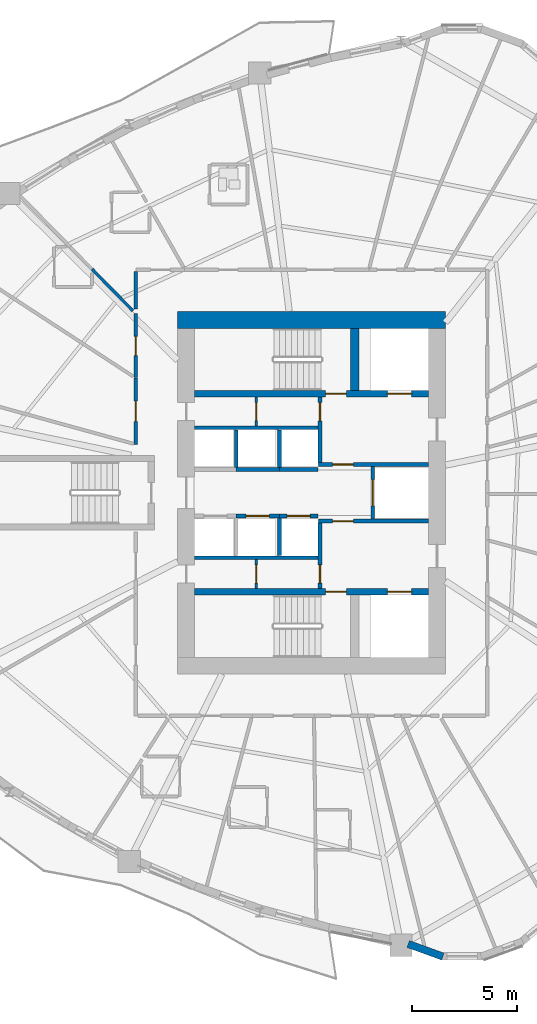
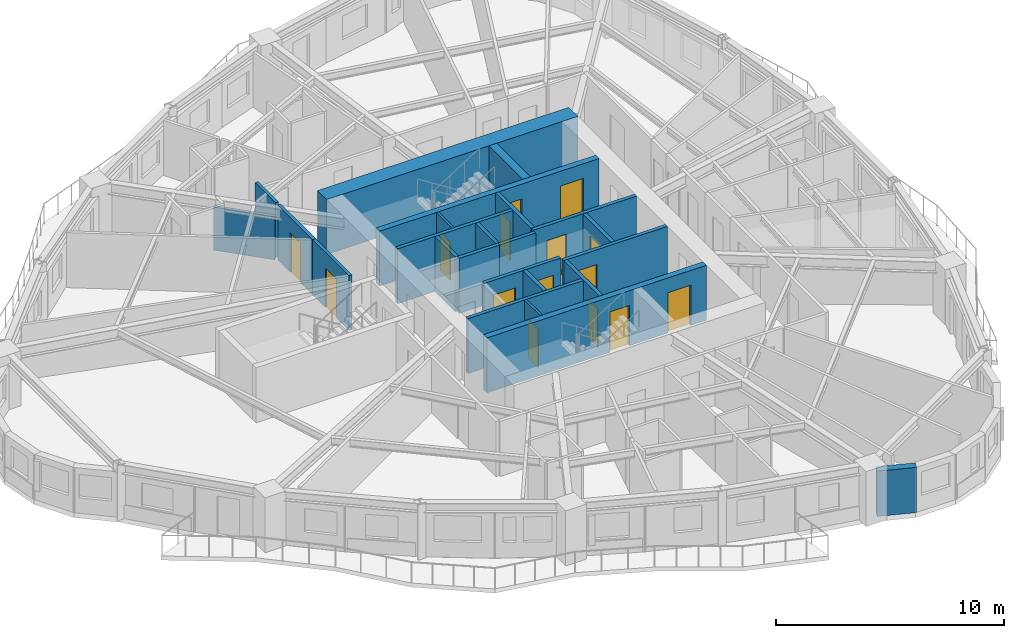
# One storey, part 5 of 13: 25 walls, 15 doors, 15 openings.
"""IFC4 building model written with IfcOpenShell, lengths in metres."""

from ifc_helpers import new_model, si_unit, direction, frame, frame_2d, origin, place, context, subcontext, project, spatial, rectangle, extrude, source, transform, mapped, material, layer, layer_set, type_object, element, fill, save


model = new_model("IFC4")

# Units and contexts
model_context = context("Model", 3, precision=1e-05, world=origin(), true_north=direction((0.0, 1.0)))
body_context = subcontext(model_context, "Body", "Model", "MODEL_VIEW")
ifc_project = project(units=[si_unit("LENGTHUNIT", "METRE"), si_unit("AREAUNIT", "SQUARE_METRE"), si_unit("VOLUMEUNIT", "CUBIC_METRE"), si_unit("PLANEANGLEUNIT", "RADIAN"), si_unit("MASSUNIT", "GRAM", prefix="KILO")], contexts=[model_context])

# Site, building, storey
site_placement = place(None, origin())
site = spatial("IfcSite", under=ifc_project, at=site_placement, CompositionType="ELEMENT")
building_placement = place(site_placement, origin())
building = spatial("IfcBuilding", under=site, at=building_placement, Name="Qafzar Sky-Pleat Residences", CompositionType="ELEMENT")
storey_placement = place(building_placement, frame((0.0, 0.0, 46.199951171875)))
storey = spatial("IfcBuildingStorey", under=building, at=storey_placement, Name="L13", CompositionType="ELEMENT", Elevation=46.199951171875)

# Wall, opening, door
ifc_material_1 = material(Name="Acoustic gypsum plasterboard partition", Category="gypsum")
ifc_layer_1 = layer(ifc_material_1, 0.159912109375)
ifc_layer_set_1 = layer_set([ifc_layer_1], Name="Acoustic gypsum plasterboard partition")
wall_type_1 = type_object("IfcWallType", Name="PART-COR-160", PredefinedType="PARTITIONING", material=ifc_layer_set_1)
wall_1_placement = place(storey_placement, frame((22.02001953125, 28.279052734375, 0.0), z_axis=(0.0, 0.0, 1.0), x_axis=(0.0, 1.0, 0.0)))
wall_1 = element("IfcWall", 1, at=wall_1_placement, inside=storey, type_object=wall_type_1, Name="L13 Partition Wall PART-L13-PW-007", PredefinedType="PARTITIONING", context=body_context, shape_type="SweptSolid", body=[
    extrude(rectangle(XDim=3.1728515625, YDim=0.159912109375, at=frame_2d((1.58642578125, 0.0))), origin(), (0.0, 0.0, 1.0), 2.93994140625),
])
opening_1_placement = place(wall_1_placement, frame((1.10498046875, 0.0, 0.0)))
opening_1 = element("IfcOpeningElement", 2, at=opening_1_placement, cuts=wall_1, Name="Opening ID-06", PredefinedType="OPENING", context=body_context, shape_type="SweptSolid", body=[
    extrude(rectangle(XDim=0.9599609375, YDim=2.10009765625, at=frame_2d((0.47998046875, 1.050048828125))), frame((0.0, 0.08984375, 0.0), z_axis=(0.0, -1.0, 0.0), x_axis=(1.0, 0.0, 0.0)), (0.0, 0.0, 1.0), 0.179931640625),
])
ifc_material_2 = material(Name="Timber-faced fire door", Category="wood")
door_type_1 = type_object("IfcDoorType", Name="DR-STD-960", OperationType="NOTDEFINED", PredefinedType="DOOR", material=ifc_material_2)
shared_shape_1 = source(origin(), body_context, "Body", "SweptSolid", [
    extrude(rectangle(XDim=0.9599609375, YDim=2.10009765625, at=frame_2d((0.47998046875, 1.050048828125))), frame((0.0, 0.02490234375, 0.0), z_axis=(0.0, -1.0, 0.0), x_axis=(1.0, 0.0, 0.0)), (0.0, 0.0, 1.0), 0.050048828125),
])
door_1_placement = place(opening_1_placement, origin())
door_1 = element("IfcDoor", 3, at=door_1_placement, inside=storey, type_object=door_type_1, Name="L13 Reading Library Door", OperationType="SINGLE_SWING_LEFT", OverallHeight=2.10009765625, OverallWidth=0.9599609375, PredefinedType="DOOR", context=body_context, shape_type="MappedRepresentation", body=[
    mapped(shared_shape_1, transform((0.0, 0.0, 0.0), x_axis=(1.0, 0.0, 0.0), y_axis=(0.0, 1.0, 0.0), z_axis=(0.0, 0.0, 1.0), scale=1.0)),
])
fill(opening_1, door_1)

wall_2_placement = place(storey_placement, frame((22.02001953125, 31.467041015625, 0.0), z_axis=(0.0, 0.0, 1.0), x_axis=(0.0, 1.0, 0.0)))
wall_2 = element("IfcWall", 4, at=wall_2_placement, inside=storey, type_object=wall_type_1, Name="L13 Partition Wall PART-L13-PW-008", PredefinedType="PARTITIONING", context=body_context, shape_type="SweptSolid", body=[
    extrude(rectangle(XDim=3.0400390625, YDim=0.159912109375, at=frame_2d((1.52001953125, 0.0))), origin(), (0.0, 0.0, 1.0), 2.93994140625),
])
opening_2_placement = place(wall_2_placement, frame((1.032958984375, 0.0, 0.0)))
opening_2 = element("IfcOpeningElement", 5, at=opening_2_placement, cuts=wall_2, Name="Opening ID-04", PredefinedType="OPENING", context=body_context, shape_type="SweptSolid", body=[
    extrude(rectangle(XDim=0.919921875, YDim=2.10009765625, at=frame_2d((0.4599609375, 1.050048828125))), frame((0.0, 0.08984375, 0.0), z_axis=(0.0, -1.0, 0.0), x_axis=(1.0, 0.0, 0.0)), (0.0, 0.0, 1.0), 0.179931640625),
])
door_type_2 = type_object("IfcDoorType", Name="DR-BED-920", OperationType="NOTDEFINED", PredefinedType="DOOR", material=ifc_material_2)
shared_shape_2 = source(origin(), body_context, "Body", "SweptSolid", [
    extrude(rectangle(XDim=0.919921875, YDim=2.10009765625, at=frame_2d((0.4599609375, 1.050048828125))), frame((0.0, 0.02490234375, 0.0), z_axis=(0.0, -1.0, 0.0), x_axis=(1.0, 0.0, 0.0)), (0.0, 0.0, 1.0), 0.050048828125),
])
door_2_placement = place(opening_2_placement, origin())
door_2 = element("IfcDoor", 6, at=door_2_placement, inside=storey, type_object=door_type_2, Name="L13 Co-Living Bedroom 8 Door", OperationType="SINGLE_SWING_RIGHT", OverallHeight=2.10009765625, OverallWidth=0.919921875, PredefinedType="DOOR", context=body_context, shape_type="MappedRepresentation", body=[
    mapped(shared_shape_2, transform((0.0, 0.0, 0.0), x_axis=(1.0, 0.0, 0.0), y_axis=(0.0, 1.0, 0.0), z_axis=(0.0, 0.0, 1.0), scale=1.0)),
])
fill(opening_2, door_2)

# Wall
wall_3_placement = place(storey_placement, frame((22.02001953125, 34.715087890625, 0.0), z_axis=(0.0, 0.0, 1.0), x_axis=(0.0, 1.0, 0.0)))
element("IfcWall", 7, at=wall_3_placement, inside=storey, type_object=wall_type_1, Name="L13 Partition Wall PART-L13-PW-057", PredefinedType="PARTITIONING", context=body_context, shape_type="SweptSolid", body=[
    extrude(rectangle(XDim=1.77685546875, YDim=0.159912109375, at=frame_2d((0.888427734375, 0.0))), origin(), (0.0, 0.0, 1.0), 2.93994140625),
])

# Wall, opening, door
ifc_material_3 = material(Name="Concrete blockwork partition", Category="masonry")
ifc_layer_2 = layer(ifc_material_3, 0.179931640625)
ifc_layer_set_2 = layer_set([ifc_layer_2], Name="Concrete blockwork partition")
wall_type_2 = type_object("IfcWallType", Name="PART-SHAFT-180", PredefinedType="PARTITIONING", material=ifc_layer_set_2)
wall_4_placement = place(storey_placement, frame((30.75, 21.4599609375, 0.0), z_axis=(0.0, 0.0, 1.0), x_axis=(0.0, 1.0, 0.0)))
wall_4 = element("IfcWall", 8, at=wall_4_placement, inside=storey, type_object=wall_type_2, Name="L13 Partition Wall PART-L13-FFL1-W", PredefinedType="PARTITIONING", context=body_context, shape_type="SweptSolid", body=[
    extrude(rectangle(XDim=3.110107421875, YDim=0.179931640625, at=frame_2d((1.55517578125, 0.0))), origin(), (0.0, 0.0, 1.0), 2.93994140625),
])
opening_3_placement = place(wall_4_placement, frame((0.260009765625, 0.0, 0.0)))
opening_3 = element("IfcOpeningElement", 9, at=opening_3_placement, cuts=wall_4, Name="Opening ID-09", PredefinedType="OPENING", context=body_context, shape_type="SweptSolid", body=[
    extrude(rectangle(XDim=0.860107421875, YDim=2.050048828125, at=frame_2d((0.43017578125, 1.02490234375))), frame((0.0, 0.10009765625, 0.0), z_axis=(0.0, -1.0, 0.0), x_axis=(1.0, 0.0, 0.0)), (0.0, 0.0, 1.0), 0.199951171875),
])
door_type_3 = type_object("IfcDoorType", Name="DR-SVC-860", OperationType="NOTDEFINED", PredefinedType="DOOR", material=ifc_material_2)
shared_shape_3 = source(origin(), body_context, "Body", "SweptSolid", [
    extrude(rectangle(XDim=0.860107421875, YDim=2.050048828125, at=frame_2d((0.43017578125, 1.02490234375))), frame((0.0, 0.02490234375, 0.0), z_axis=(0.0, -1.0, 0.0), x_axis=(1.0, 0.0, 0.0)), (0.0, 0.0, 1.0), 0.050048828125),
])
door_3_placement = place(opening_3_placement, origin())
door_3 = element("IfcDoor", 10, at=door_3_placement, inside=storey, type_object=door_type_3, Name="L13 South Core Cupboard Door", OperationType="SINGLE_SWING_LEFT", OverallHeight=2.050048828125, OverallWidth=0.860107421875, PredefinedType="DOOR", context=body_context, shape_type="MappedRepresentation", body=[
    mapped(shared_shape_3, transform((0.0, 0.0, 0.0), x_axis=(1.0, 0.0, 0.0), y_axis=(0.0, 1.0, 0.0), z_axis=(0.0, 0.0, 1.0), scale=1.0)),
])
fill(opening_3, door_3)

wall_5_placement = place(storey_placement, frame((30.669921875, 24.659912109375, 0.0), z_axis=(0.0, 0.0, 1.0), x_axis=(1.0, 0.0, 0.0)))
wall_5 = element("IfcWall", 11, at=wall_5_placement, inside=storey, type_object=wall_type_2, Name="L13 Partition Wall PART-L13-FFL1-N", PredefinedType="PARTITIONING", context=body_context, shape_type="SweptSolid", body=[
    extrude(rectangle(XDim=5.219970703125, YDim=0.179931640625, at=frame_2d((2.60986328125, 0.0))), origin(), (0.0, 0.0, 1.0), 2.93994140625),
])
opening_4_placement = place(wall_5_placement, frame((0.679931640625, 0.0, 0.0)))
opening_4 = element("IfcOpeningElement", 12, at=opening_4_placement, cuts=wall_5, Name="Opening ID-01", PredefinedType="OPENING", context=body_context, shape_type="SweptSolid", body=[
    extrude(rectangle(XDim=0.97998046875, YDim=2.14990234375, at=frame_2d((0.489990234375, 1.074951171875))), frame((0.0, 0.10009765625, 0.0), z_axis=(0.0, -1.0, 0.0), x_axis=(1.0, 0.0, 0.0)), (0.0, 0.0, 1.0), 0.199951171875),
])
door_type_4 = type_object("IfcDoorType", Name="DR-STAIR-980", OperationType="NOTDEFINED", PredefinedType="DOOR", material=ifc_material_2)
shared_shape_4 = source(origin(), body_context, "Body", "SweptSolid", [
    extrude(rectangle(XDim=0.97998046875, YDim=2.14990234375, at=frame_2d((0.489990234375, 1.074951171875))), frame((0.0, 0.02490234375, 0.0), z_axis=(0.0, -1.0, 0.0), x_axis=(1.0, 0.0, 0.0)), (0.0, 0.0, 1.0), 0.050048828125),
])
door_4_placement = place(opening_4_placement, origin())
door_4 = element("IfcDoor", 13, at=door_4_placement, inside=storey, type_object=door_type_4, Name="L13 Lift Lobby to South Firefighting Lobby Door", OperationType="SINGLE_SWING_RIGHT", OverallHeight=2.14990234375, OverallWidth=0.97998046875, PredefinedType="DOOR", context=body_context, shape_type="MappedRepresentation", body=[
    mapped(shared_shape_4, transform((0.0, 0.0, 0.0), x_axis=(1.0, 0.0, 0.0), y_axis=(0.0, 1.0, 0.0), z_axis=(0.0, 0.0, 1.0), scale=1.0)),
])
fill(opening_4, door_4)

wall_6_placement = place(storey_placement, frame((30.75, 27.429931640625, 0.0), z_axis=(0.0, 0.0, 1.0), x_axis=(0.0, 1.0, 0.0)))
wall_6 = element("IfcWall", 14, at=wall_6_placement, inside=storey, type_object=wall_type_2, Name="L13 Partition Wall PART-L13-FFL2-W", PredefinedType="PARTITIONING", context=body_context, shape_type="SweptSolid", body=[
    extrude(rectangle(XDim=3.110107421875, YDim=0.179931640625, at=frame_2d((1.55517578125, 0.0))), origin(), (0.0, 0.0, 1.0), 2.93994140625),
])
opening_5_placement = place(wall_6_placement, frame((1.97998046875, 0.0, 0.0)))
opening_5 = element("IfcOpeningElement", 15, at=opening_5_placement, cuts=wall_6, Name="Opening ID-09", PredefinedType="OPENING", context=body_context, shape_type="SweptSolid", body=[
    extrude(rectangle(XDim=0.860107421875, YDim=2.050048828125, at=frame_2d((0.43017578125, 1.02490234375))), frame((0.0, 0.10009765625, 0.0), z_axis=(0.0, -1.0, 0.0), x_axis=(1.0, 0.0, 0.0)), (0.0, 0.0, 1.0), 0.199951171875),
])
door_5_placement = place(opening_5_placement, origin())
door_5 = element("IfcDoor", 16, at=door_5_placement, inside=storey, type_object=door_type_3, Name="L13 North Core Cupboard Door", OperationType="SINGLE_SWING_LEFT", OverallHeight=2.050048828125, OverallWidth=0.860107421875, PredefinedType="DOOR", context=body_context, shape_type="MappedRepresentation", body=[
    mapped(shared_shape_3, transform((0.0, 0.0, 0.0), x_axis=(1.0, 0.0, 0.0), y_axis=(0.0, 1.0, 0.0), z_axis=(0.0, 0.0, 1.0), scale=1.0)),
])
fill(opening_5, door_5)

wall_7_placement = place(storey_placement, frame((30.669921875, 27.340087890625, 0.0), z_axis=(0.0, 0.0, 1.0), x_axis=(1.0, 0.0, 0.0)))
wall_7 = element("IfcWall", 17, at=wall_7_placement, inside=storey, type_object=wall_type_2, Name="L13 Partition Wall PART-L13-FFL2-S", PredefinedType="PARTITIONING", context=body_context, shape_type="SweptSolid", body=[
    extrude(rectangle(XDim=5.219970703125, YDim=0.179931640625, at=frame_2d((2.60986328125, 0.0))), origin(), (0.0, 0.0, 1.0), 2.93994140625),
])
opening_6_placement = place(wall_7_placement, frame((0.679931640625, 0.0, 0.0)))
opening_6 = element("IfcOpeningElement", 18, at=opening_6_placement, cuts=wall_7, Name="Opening ID-01", PredefinedType="OPENING", context=body_context, shape_type="SweptSolid", body=[
    extrude(rectangle(XDim=0.97998046875, YDim=2.14990234375, at=frame_2d((0.489990234375, 1.074951171875))), frame((0.0, 0.10009765625, 0.0), z_axis=(0.0, -1.0, 0.0), x_axis=(1.0, 0.0, 0.0)), (0.0, 0.0, 1.0), 0.199951171875),
])
door_6_placement = place(opening_6_placement, origin())
door_6 = element("IfcDoor", 19, at=door_6_placement, inside=storey, type_object=door_type_4, Name="L13 Lift Lobby to North Firefighting Lobby Door", OperationType="SINGLE_SWING_RIGHT", OverallHeight=2.14990234375, OverallWidth=0.97998046875, PredefinedType="DOOR", context=body_context, shape_type="MappedRepresentation", body=[
    mapped(shared_shape_4, transform((0.0, 0.0, 0.0), x_axis=(1.0, 0.0, 0.0), y_axis=(0.0, 1.0, 0.0), z_axis=(0.0, 0.0, 1.0), scale=1.0)),
])
fill(opening_6, door_6)

wall_8_placement = place(storey_placement, frame((33.25, 24.760009765625, 0.0), z_axis=(0.0, 0.0, 1.0), x_axis=(0.0, 1.0, 0.0)))
wall_8 = element("IfcWall", 20, at=wall_8_placement, inside=storey, type_object=wall_type_2, Name="L13 Partition Wall PART-L13-SV1-W", PredefinedType="PARTITIONING", context=body_context, shape_type="SweptSolid", body=[
    extrude(rectangle(XDim=2.47998046875, YDim=0.179931640625, at=frame_2d((1.239990234375, 0.0))), origin(), (0.0, 0.0, 1.0), 2.93994140625),
])
opening_7_placement = place(wall_8_placement, frame((0.614990234375, 0.0, 0.0)))
opening_7 = element("IfcOpeningElement", 21, at=opening_7_placement, cuts=wall_8, Name="Opening LD-03", PredefinedType="OPENING", context=body_context, shape_type="SweptSolid", body=[
    extrude(rectangle(XDim=1.25, YDim=2.14990234375, at=frame_2d((0.625, 1.074951171875))), frame((0.0, 0.10009765625, 0.0), z_axis=(0.0, -1.0, 0.0), x_axis=(1.0, 0.0, 0.0)), (0.0, 0.0, 1.0), 0.199951171875),
])
ifc_material_4 = material(Name="Stainless steel sliding landing door", Category="steel")
door_type_5 = type_object("IfcDoorType", Name="DR-LIFT-SV", OperationType="DOUBLE_DOOR_SLIDING", PredefinedType="DOOR", material=ifc_material_4)
shared_shape_5 = source(origin(), body_context, "Body", "SweptSolid", [
    extrude(rectangle(XDim=1.25, YDim=2.14990234375, at=frame_2d((0.625, 1.074951171875))), frame((0.0, 0.02490234375, 0.0), z_axis=(0.0, -1.0, 0.0), x_axis=(1.0, 0.0, 0.0)), (0.0, 0.0, 1.0), 0.050048828125),
])
door_7_placement = place(opening_7_placement, origin())
door_7 = element("IfcDoor", 22, at=door_7_placement, inside=storey, type_object=door_type_5, Name="L13 Service Lift SV1 Landing Door", OperationType="DOUBLE_DOOR_SLIDING", OverallHeight=2.14990234375, OverallWidth=1.25, PredefinedType="DOOR", context=body_context, shape_type="MappedRepresentation", body=[
    mapped(shared_shape_5, transform((0.0, 0.0, 0.0), x_axis=(1.0, 0.0, 0.0), y_axis=(0.0, 1.0, 0.0), z_axis=(0.0, 0.0, 1.0), scale=1.0)),
])
fill(opening_7, door_7)

# Wall
wall_9_placement = place(storey_placement, frame((24.81005859375, 22.919921875, 0.0), z_axis=(0.0, 0.0, 1.0), x_axis=(1.0, 0.0, 0.0)))
element("IfcWall", 23, at=wall_9_placement, inside=storey, type_object=wall_type_2, Name="L13 Partition Wall PART-L13-P13-S", PredefinedType="PARTITIONING", context=body_context, shape_type="SweptSolid", body=[
    extrude(rectangle(XDim=5.83984375, YDim=0.179931640625, at=frame_2d((2.919921875, 0.0))), origin(), (0.0, 0.0, 1.0), 2.93994140625),
])

# Wall, opening, door
wall_10_placement = place(storey_placement, frame((26.77490234375, 24.89990234375, 0.0), z_axis=(0.0, 0.0, 1.0), x_axis=(1.0, 0.0, 0.0)))
wall_10 = element("IfcWall", 24, at=wall_10_placement, inside=storey, type_object=wall_type_2, Name="L13 Partition Wall PART-L13-P2-N", PredefinedType="PARTITIONING", context=body_context, shape_type="SweptSolid", body=[
    extrude(rectangle(XDim=2.050048828125, YDim=0.179931640625, at=frame_2d((1.02490234375, 0.0))), origin(), (0.0, 0.0, 1.0), 2.93994140625),
])
opening_8_placement = place(wall_10_placement, frame((0.47509765625, 0.0, 0.0)))
opening_8 = element("IfcOpeningElement", 25, at=opening_8_placement, cuts=wall_10, Name="Opening LD-01", PredefinedType="OPENING", context=body_context, shape_type="SweptSolid", body=[
    extrude(rectangle(XDim=1.10009765625, YDim=2.14990234375, at=frame_2d((0.550048828125, 1.074951171875))), frame((0.0, 0.10009765625, 0.0), z_axis=(0.0, -1.0, 0.0), x_axis=(1.0, 0.0, 0.0)), (0.0, 0.0, 1.0), 0.199951171875),
])
door_type_6 = type_object("IfcDoorType", Name="DR-LIFT-P", OperationType="DOUBLE_DOOR_SLIDING", PredefinedType="DOOR", material=ifc_material_4)
shared_shape_6 = source(origin(), body_context, "Body", "SweptSolid", [
    extrude(rectangle(XDim=1.10009765625, YDim=2.14990234375, at=frame_2d((0.550048828125, 1.074951171875))), frame((0.0, 0.02490234375, 0.0), z_axis=(0.0, -1.0, 0.0), x_axis=(1.0, 0.0, 0.0)), (0.0, 0.0, 1.0), 0.050048828125),
])
door_8_placement = place(opening_8_placement, origin())
door_8 = element("IfcDoor", 26, at=door_8_placement, inside=storey, type_object=door_type_6, Name="L13 Passenger Lift P2 Landing Door", OperationType="DOUBLE_DOOR_SLIDING", OverallHeight=2.14990234375, OverallWidth=1.10009765625, PredefinedType="DOOR", context=body_context, shape_type="MappedRepresentation", body=[
    mapped(shared_shape_6, transform((0.0, 0.0, 0.0), x_axis=(1.0, 0.0, 0.0), y_axis=(0.0, 1.0, 0.0), z_axis=(0.0, 0.0, 1.0), scale=1.0)),
])
fill(opening_8, door_8)

wall_11_placement = place(storey_placement, frame((28.824951171875, 24.89990234375, 0.0), z_axis=(0.0, 0.0, 1.0), x_axis=(1.0, 0.0, 0.0)))
wall_11 = element("IfcWall", 27, at=wall_11_placement, inside=storey, type_object=wall_type_2, Name="L13 Partition Wall PART-L13-P3-N", PredefinedType="PARTITIONING", context=body_context, shape_type="SweptSolid", body=[
    extrude(rectangle(XDim=1.824951171875, YDim=0.179931640625, at=frame_2d((0.91259765625, 0.0))), origin(), (0.0, 0.0, 1.0), 2.93994140625),
])
opening_9_placement = place(wall_11_placement, frame((0.362548828125, 0.0, 0.0)))
opening_9 = element("IfcOpeningElement", 28, at=opening_9_placement, cuts=wall_11, Name="Opening LD-01", PredefinedType="OPENING", context=body_context, shape_type="SweptSolid", body=[
    extrude(rectangle(XDim=1.10009765625, YDim=2.14990234375, at=frame_2d((0.550048828125, 1.074951171875))), frame((0.0, 0.10009765625, 0.0), z_axis=(0.0, -1.0, 0.0), x_axis=(1.0, 0.0, 0.0)), (0.0, 0.0, 1.0), 0.199951171875),
])
door_9_placement = place(opening_9_placement, origin())
door_9 = element("IfcDoor", 29, at=door_9_placement, inside=storey, type_object=door_type_6, Name="L13 Passenger Lift P3 Landing Door", OperationType="DOUBLE_DOOR_SLIDING", OverallHeight=2.14990234375, OverallWidth=1.10009765625, PredefinedType="DOOR", context=body_context, shape_type="MappedRepresentation", body=[
    mapped(shared_shape_6, transform((0.0, 0.0, 0.0), x_axis=(1.0, 0.0, 0.0), y_axis=(0.0, 1.0, 0.0), z_axis=(0.0, 0.0, 1.0), scale=1.0)),
])
fill(opening_9, door_9)

# Walls
wall_12_placement = place(storey_placement, frame((28.824951171875, 23.02001953125, 0.0), z_axis=(0.0, 0.0, 1.0), x_axis=(0.0, 1.0, 0.0)))
element("IfcWall", 30, at=wall_12_placement, inside=storey, type_object=wall_type_2, Name="L13 Partition Wall PART-L13-P13-DIV-2", PredefinedType="PARTITIONING", context=body_context, shape_type="SweptSolid", body=[
    extrude(rectangle(XDim=1.780029296875, YDim=0.179931640625, at=frame_2d((0.89013671875, 0.0))), origin(), (0.0, 0.0, 1.0), 2.93994140625),
])
wall_13_placement = place(storey_placement, frame((24.81005859375, 29.080078125, 0.0), z_axis=(0.0, 0.0, 1.0), x_axis=(1.0, 0.0, 0.0)))
element("IfcWall", 31, at=wall_13_placement, inside=storey, type_object=wall_type_2, Name="L13 Partition Wall PART-L13-P46-N", PredefinedType="PARTITIONING", context=body_context, shape_type="SweptSolid", body=[
    extrude(rectangle(XDim=5.83984375, YDim=0.179931640625, at=frame_2d((2.919921875, 0.0))), origin(), (0.0, 0.0, 1.0), 2.93994140625),
])
wall_14_placement = place(storey_placement, frame((26.77490234375, 27.10009765625, 0.0), z_axis=(0.0, 0.0, 1.0), x_axis=(1.0, 0.0, 0.0)))
element("IfcWall", 32, at=wall_14_placement, inside=storey, type_object=wall_type_2, Name="L13 Partition Wall PART-L13-P5-S", PredefinedType="PARTITIONING", context=body_context, shape_type="SweptSolid", body=[
    extrude(rectangle(XDim=2.050048828125, YDim=0.179931640625, at=frame_2d((1.02490234375, 0.0))), origin(), (0.0, 0.0, 1.0), 2.93994140625),
])
wall_15_placement = place(storey_placement, frame((26.77490234375, 27.199951171875, 0.0), z_axis=(0.0, 0.0, 1.0), x_axis=(0.0, 1.0, 0.0)))
element("IfcWall", 33, at=wall_15_placement, inside=storey, type_object=wall_type_2, Name="L13 Partition Wall PART-L13-P46-DIV-1", PredefinedType="PARTITIONING", context=body_context, shape_type="SweptSolid", body=[
    extrude(rectangle(XDim=1.780029296875, YDim=0.179931640625, at=frame_2d((0.89013671875, 0.0))), origin(), (0.0, 0.0, 1.0), 2.93994140625),
])
wall_16_placement = place(storey_placement, frame((28.824951171875, 27.10009765625, 0.0), z_axis=(0.0, 0.0, 1.0), x_axis=(1.0, 0.0, 0.0)))
element("IfcWall", 34, at=wall_16_placement, inside=storey, type_object=wall_type_2, Name="L13 Partition Wall PART-L13-P6-S", PredefinedType="PARTITIONING", context=body_context, shape_type="SweptSolid", body=[
    extrude(rectangle(XDim=1.824951171875, YDim=0.179931640625, at=frame_2d((0.91259765625, 0.0))), origin(), (0.0, 0.0, 1.0), 2.93994140625),
])
wall_17_placement = place(storey_placement, frame((28.824951171875, 27.199951171875, 0.0), z_axis=(0.0, 0.0, 1.0), x_axis=(0.0, 1.0, 0.0)))
element("IfcWall", 35, at=wall_17_placement, inside=storey, type_object=wall_type_2, Name="L13 Partition Wall PART-L13-P46-DIV-2", PredefinedType="PARTITIONING", context=body_context, shape_type="SweptSolid", body=[
    extrude(rectangle(XDim=1.780029296875, YDim=0.179931640625, at=frame_2d((0.89013671875, 0.0))), origin(), (0.0, 0.0, 1.0), 2.93994140625),
])

# Wall, opening, door
ifc_material_5 = material(Name="Gypsum plasterboard partition", Category="gypsum")
ifc_layer_3 = layer(ifc_material_5, 0.114990234375)
ifc_layer_set_3 = layer_set([ifc_layer_3], Name="Gypsum plasterboard partition")
wall_type_3 = type_object("IfcWallType", Name="PART-SVC-115", PredefinedType="PARTITIONING", material=ifc_layer_set_3)
wall_18_placement = place(storey_placement, frame((27.72509765625, 21.4599609375, 0.0), z_axis=(0.0, 0.0, 1.0), x_axis=(0.0, 1.0, 0.0)))
wall_18 = element("IfcWall", 36, at=wall_18_placement, inside=storey, type_object=wall_type_3, Name="L13 Partition Wall PART-L13-KB-SW", PredefinedType="PARTITIONING", context=body_context, shape_type="SweptSolid", body=[
    extrude(rectangle(XDim=1.380126953125, YDim=0.114990234375, at=frame_2d((0.68994140625, 0.0))), origin(), (0.0, 0.0, 1.0), 2.93994140625),
])
opening_10_placement = place(wall_18_placement, frame((0.260009765625, 0.0, 0.0)))
opening_10 = element("IfcOpeningElement", 37, at=opening_10_placement, cuts=wall_18, Name="Opening ID-09", PredefinedType="OPENING", context=body_context, shape_type="SweptSolid", body=[
    extrude(rectangle(XDim=0.860107421875, YDim=2.050048828125, at=frame_2d((0.43017578125, 1.02490234375))), frame((0.0, 0.0673828125, 0.0), z_axis=(0.0, -1.0, 0.0), x_axis=(1.0, 0.0, 0.0)), (0.0, 0.0, 1.0), 0.135009765625),
])
door_10_placement = place(opening_10_placement, origin())
door_10 = element("IfcDoor", 38, at=door_10_placement, inside=storey, type_object=door_type_3, Name="L13 BMS Metering Cupboard Door", OperationType="SINGLE_SWING_LEFT", OverallHeight=2.050048828125, OverallWidth=0.860107421875, PredefinedType="DOOR", context=body_context, shape_type="MappedRepresentation", body=[
    mapped(shared_shape_3, transform((0.0, 0.0, 0.0), x_axis=(1.0, 0.0, 0.0), y_axis=(0.0, 1.0, 0.0), z_axis=(0.0, 0.0, 1.0), scale=1.0)),
])
fill(opening_10, door_10)

wall_19_placement = place(storey_placement, frame((27.72509765625, 29.159912109375, 0.0), z_axis=(0.0, 0.0, 1.0), x_axis=(0.0, 1.0, 0.0)))
wall_19 = element("IfcWall", 39, at=wall_19_placement, inside=storey, type_object=wall_type_3, Name="L13 Partition Wall PART-L13-KB-NW", PredefinedType="PARTITIONING", context=body_context, shape_type="SweptSolid", body=[
    extrude(rectangle(XDim=1.380126953125, YDim=0.114990234375, at=frame_2d((0.68994140625, 0.0))), origin(), (0.0, 0.0, 1.0), 2.93994140625),
])
opening_11_placement = place(wall_19_placement, frame((0.260009765625, 0.0, 0.0)))
opening_11 = element("IfcOpeningElement", 40, at=opening_11_placement, cuts=wall_19, Name="Opening ID-09", PredefinedType="OPENING", context=body_context, shape_type="SweptSolid", body=[
    extrude(rectangle(XDim=0.860107421875, YDim=2.050048828125, at=frame_2d((0.43017578125, 1.02490234375))), frame((0.0, 0.0673828125, 0.0), z_axis=(0.0, -1.0, 0.0), x_axis=(1.0, 0.0, 0.0)), (0.0, 0.0, 1.0), 0.135009765625),
])
door_11_placement = place(opening_11_placement, origin())
door_11 = element("IfcDoor", 41, at=door_11_placement, inside=storey, type_object=door_type_3, Name="L13 IT Cupboard Door", OperationType="SINGLE_SWING_RIGHT", OverallHeight=2.050048828125, OverallWidth=0.860107421875, PredefinedType="DOOR", context=body_context, shape_type="MappedRepresentation", body=[
    mapped(shared_shape_3, transform((0.0, 0.0, 0.0), x_axis=(1.0, 0.0, 0.0), y_axis=(0.0, 1.0, 0.0), z_axis=(0.0, 0.0, 1.0), scale=1.0)),
])
fill(opening_11, door_11)

# Walls
ifc_layer_4 = layer(ifc_material_1, 0.14501953125)
ifc_layer_set_4 = layer_set([ifc_layer_4], Name="Acoustic gypsum plasterboard partition")
wall_type_4 = type_object("IfcWallType", Name="PART-UNIT-145", PredefinedType="PARTITIONING", material=ifc_layer_set_4)
wall_20_placement = place(storey_placement, frame((19.93798828125, 36.60693359375, 0.0), z_axis=(0.0, 0.0, 1.0), x_axis=(0.700568911338, -0.713584753527, 0.0)))
element("IfcWall", 42, at=wall_20_placement, inside=storey, type_object=wall_type_4, Name="L13 Partition Wall PART-L13-PW-053", PredefinedType="PARTITIONING", context=body_context, shape_type="SweptSolid", body=[
    extrude(rectangle(XDim=2.776123046875, YDim=0.14501953125, at=frame_2d((1.38818359375, 0.0))), origin(), (0.0, 0.0, 1.0), 2.30810546875),
])
ifc_material_6 = material(Name="Precast concrete C40/50 with honed Riyadh limestone", Category="concrete")
ifc_layer_5 = layer(ifc_material_6, 0.35009765625)
ifc_layer_set_5 = layer_set([ifc_layer_5], Name="Precast concrete C40/50 with honed Riyadh limestone")
wall_type_5 = type_object("IfcWallType", Name="WALL-EXT-350", PredefinedType="SOLIDWALL", material=ifc_layer_set_5)
wall_21_placement = place(storey_placement, frame((34.931884765625, 4.601806640625, 0.0), z_axis=(0.0, 0.0, 1.0), x_axis=(0.939675390388, -0.342067479745, 0.0)))
element("IfcWall", 43, at=wall_21_placement, inside=storey, type_object=wall_type_5, Name="L13 Limestone Facade Wall 17", PredefinedType="SOLIDWALL", context=body_context, shape_type="SweptSolid", body=[
    extrude(rectangle(XDim=1.752197265625, YDim=0.35009765625, at=frame_2d((0.8759765625, 0.0))), origin(), (0.0, 0.0, 1.0), 2.420166015625),
])

# Wall, openings, doors
ifc_material_7 = material(Name="Concrete C60/75", Category="concrete")
ifc_layer_6 = layer(ifc_material_7, 0.300048828125)
ifc_layer_set_6 = layer_set([ifc_layer_6], Name="Concrete C60/75")
wall_type_6 = type_object("IfcWallType", Name="WALL-SHEAR-300", PredefinedType="SHEAR", material=ifc_layer_set_6)
wall_22_placement = place(storey_placement, frame((24.800048828125, 21.300048828125, 0.0), z_axis=(0.0, 0.0, 1.0), x_axis=(1.0, 0.0, 0.0)))
wall_22 = element("IfcWall", 44, at=wall_22_placement, inside=storey, type_object=wall_type_6, Name="L13 Stair ST1 and FF1 Shaft North Wall", PredefinedType="SHEAR", context=body_context, shape_type="SweptSolid", body=[
    extrude(rectangle(XDim=11.099853515625, YDim=0.300048828125, at=frame_2d((5.5498046875, 0.0))), origin(), (0.0, 0.0, 1.0), 2.93994140625),
])
opening_12_placement = place(wall_22_placement, frame((6.219970703125, 0.0, 0.0)))
opening_12 = element("IfcOpeningElement", 45, at=opening_12_placement, cuts=wall_22, Name="Opening ID-01", PredefinedType="OPENING", context=body_context, shape_type="SweptSolid", body=[
    extrude(rectangle(XDim=0.97998046875, YDim=2.14990234375, at=frame_2d((0.489990234375, 1.074951171875))), frame((0.0, 0.16015625, 0.0), z_axis=(0.0, -1.0, 0.0), x_axis=(1.0, 0.0, 0.0)), (0.0, 0.0, 1.0), 0.320068359375),
])
opening_13_placement = place(wall_22_placement, frame((9.14990234375, 0.0, 0.0)))
opening_13 = element("IfcOpeningElement", 46, at=opening_13_placement, cuts=wall_22, Name="Opening LD-02", PredefinedType="OPENING", context=body_context, shape_type="SweptSolid", body=[
    extrude(rectangle(XDim=1.14990234375, YDim=2.14990234375, at=frame_2d((0.574951171875, 1.074951171875))), frame((0.0, 0.16015625, 0.0), z_axis=(0.0, -1.0, 0.0), x_axis=(1.0, 0.0, 0.0)), (0.0, 0.0, 1.0), 0.320068359375),
])
door_12_placement = place(opening_12_placement, origin())
door_12 = element("IfcDoor", 47, at=door_12_placement, inside=storey, type_object=door_type_4, Name="L13 Stair ST1 Fire Door", OperationType="SINGLE_SWING_RIGHT", OverallHeight=2.14990234375, OverallWidth=0.97998046875, PredefinedType="DOOR", context=body_context, shape_type="MappedRepresentation", body=[
    mapped(shared_shape_4, transform((0.0, 0.0, 0.0), x_axis=(1.0, 0.0, 0.0), y_axis=(0.0, 1.0, 0.0), z_axis=(0.0, 0.0, 1.0), scale=1.0)),
])
fill(opening_12, door_12)
door_type_7 = type_object("IfcDoorType", Name="DR-LIFT-FF", OperationType="DOUBLE_DOOR_SLIDING", PredefinedType="DOOR", material=ifc_material_4)
shared_shape_7 = source(origin(), body_context, "Body", "SweptSolid", [
    extrude(rectangle(XDim=1.14990234375, YDim=2.14990234375, at=frame_2d((0.574951171875, 1.074951171875))), frame((0.0, 0.02490234375, 0.0), z_axis=(0.0, -1.0, 0.0), x_axis=(1.0, 0.0, 0.0)), (0.0, 0.0, 1.0), 0.050048828125),
])
door_13_placement = place(opening_13_placement, origin())
door_13 = element("IfcDoor", 48, at=door_13_placement, inside=storey, type_object=door_type_7, Name="L13 Firefighting Lift FF1 Landing Door", OperationType="DOUBLE_DOOR_SLIDING", OverallHeight=2.14990234375, OverallWidth=1.14990234375, PredefinedType="DOOR", context=body_context, shape_type="MappedRepresentation", body=[
    mapped(shared_shape_7, transform((0.0, 0.0, 0.0), x_axis=(1.0, 0.0, 0.0), y_axis=(0.0, 1.0, 0.0), z_axis=(0.0, 0.0, 1.0), scale=1.0)),
])
fill(opening_13, door_13)

wall_23_placement = place(storey_placement, frame((24.800048828125, 30.699951171875, 0.0), z_axis=(0.0, 0.0, 1.0), x_axis=(1.0, 0.0, 0.0)))
wall_23 = element("IfcWall", 49, at=wall_23_placement, inside=storey, type_object=wall_type_6, Name="L13 Stair ST2 and FF2 Shaft South Wall", PredefinedType="SHEAR", context=body_context, shape_type="SweptSolid", body=[
    extrude(rectangle(XDim=11.099853515625, YDim=0.300048828125, at=frame_2d((5.5498046875, 0.0))), origin(), (0.0, 0.0, 1.0), 2.93994140625),
])
opening_14_placement = place(wall_23_placement, frame((6.219970703125, 0.0, 0.0)))
opening_14 = element("IfcOpeningElement", 50, at=opening_14_placement, cuts=wall_23, Name="Opening ID-01", PredefinedType="OPENING", context=body_context, shape_type="SweptSolid", body=[
    extrude(rectangle(XDim=0.97998046875, YDim=2.14990234375, at=frame_2d((0.489990234375, 1.074951171875))), frame((0.0, 0.16015625, 0.0), z_axis=(0.0, -1.0, 0.0), x_axis=(1.0, 0.0, 0.0)), (0.0, 0.0, 1.0), 0.320068359375),
])
opening_15_placement = place(wall_23_placement, frame((9.14990234375, 0.0, 0.0)))
opening_15 = element("IfcOpeningElement", 51, at=opening_15_placement, cuts=wall_23, Name="Opening LD-02", PredefinedType="OPENING", context=body_context, shape_type="SweptSolid", body=[
    extrude(rectangle(XDim=1.14990234375, YDim=2.14990234375, at=frame_2d((0.574951171875, 1.074951171875))), frame((0.0, 0.16015625, 0.0), z_axis=(0.0, -1.0, 0.0), x_axis=(1.0, 0.0, 0.0)), (0.0, 0.0, 1.0), 0.320068359375),
])
door_14_placement = place(opening_14_placement, origin())
door_14 = element("IfcDoor", 52, at=door_14_placement, inside=storey, type_object=door_type_4, Name="L13 Stair ST2 Fire Door", OperationType="SINGLE_SWING_LEFT", OverallHeight=2.14990234375, OverallWidth=0.97998046875, PredefinedType="DOOR", context=body_context, shape_type="MappedRepresentation", body=[
    mapped(shared_shape_4, transform((0.0, 0.0, 0.0), x_axis=(1.0, 0.0, 0.0), y_axis=(0.0, 1.0, 0.0), z_axis=(0.0, 0.0, 1.0), scale=1.0)),
])
fill(opening_14, door_14)
door_15_placement = place(opening_15_placement, origin())
door_15 = element("IfcDoor", 53, at=door_15_placement, inside=storey, type_object=door_type_7, Name="L13 Firefighting Lift FF2 Landing Door", OperationType="DOUBLE_DOOR_SLIDING", OverallHeight=2.14990234375, OverallWidth=1.14990234375, PredefinedType="DOOR", context=body_context, shape_type="MappedRepresentation", body=[
    mapped(shared_shape_7, transform((0.0, 0.0, 0.0), x_axis=(1.0, 0.0, 0.0), y_axis=(0.0, 1.0, 0.0), z_axis=(0.0, 0.0, 1.0), scale=1.0)),
])
fill(opening_15, door_15)

# Walls
ifc_layer_7 = layer(ifc_material_7, 0.39990234375)
ifc_layer_set_7 = layer_set([ifc_layer_7], Name="Concrete C60/75")
wall_type_7 = type_object("IfcWallType", Name="WALL-SHEAR-400", PredefinedType="SHEAR", material=ifc_layer_set_7)
wall_24_placement = place(storey_placement, frame((32.39990234375, 30.85009765625, 0.0), z_axis=(0.0, 0.0, 1.0), x_axis=(0.0, 1.0, 0.0)))
element("IfcWall", 54, at=wall_24_placement, inside=storey, type_object=wall_type_7, Name="L13 Stair ST2 East Dividing Wall", PredefinedType="SHEAR", context=body_context, shape_type="SweptSolid", body=[
    extrude(rectangle(XDim=2.949951171875, YDim=0.39990234375, at=frame_2d((1.47509765625, 0.0))), origin(), (0.0, 0.0, 1.0), 2.93994140625),
])
ifc_layer_8 = layer(ifc_material_7, 0.800048828125)
ifc_layer_set_8 = layer_set([ifc_layer_8], Name="Concrete C60/75")
wall_type_8 = type_object("IfcWallType", Name="WALL-SHEAR-800", PredefinedType="SHEAR", material=ifc_layer_set_8)
wall_25_placement = place(storey_placement, frame((36.699951171875, 34.199951171875, 0.0), z_axis=(0.0, 0.0, 1.0), x_axis=(-1.0, 0.0, 0.0)))
element("IfcWall", 55, at=wall_25_placement, inside=storey, type_object=wall_type_8, Name="L13 CORE wall N", PredefinedType="SHEAR", context=body_context, shape_type="SweptSolid", body=[
    extrude(rectangle(XDim=12.699951171875, YDim=0.800048828125, at=frame_2d((6.35009765625, 0.0))), origin(), (0.0, 0.0, 1.0), 2.93994140625),
])

save(model, "model.ifc")
